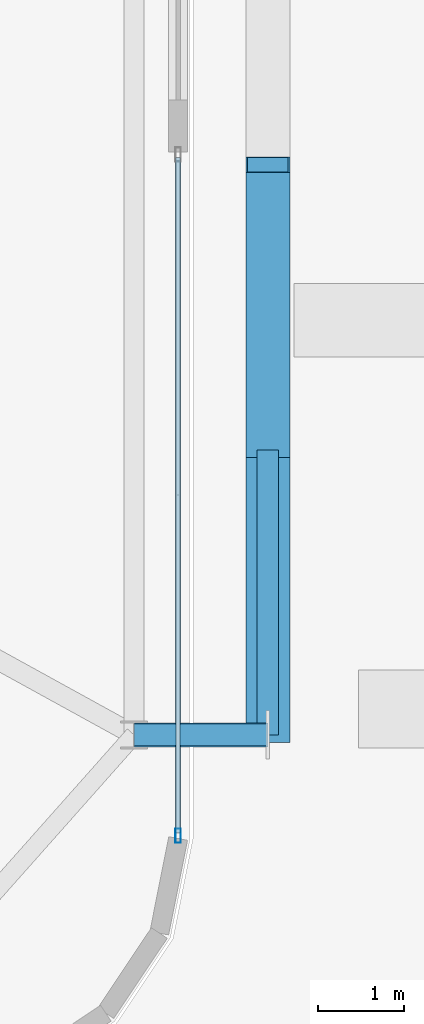
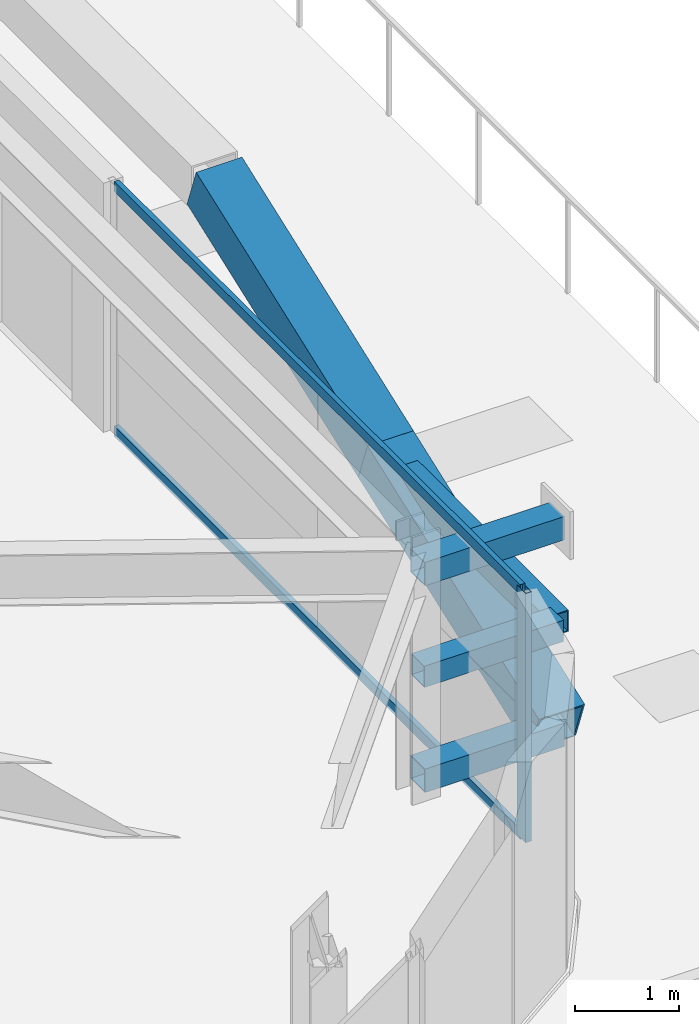
# One storey, part 33 of 56: 9 members, 1 element without a shape of its own.
"""IFC4 building model written with IfcOpenShell, lengths in metres."""

from ifc_helpers import new_model, si_unit, direction, frame, origin, origin_2d, place, context, subcontext, project, spatial, hollow_rectangle, extrude, source, transform, mapped, material, layer, layer_set, material_profile, profile_set, type_object, element, aggregate, save


model = new_model("IFC4")

# Units and contexts
model_context = context("Model", 3, precision=1e-05, world=origin(), true_north=direction((0.0, 1.0)))
body_context = subcontext(model_context, "Body", "Model", "MODEL_VIEW")
ifc_project = project(units=[si_unit("LENGTHUNIT", "METRE"), si_unit("AREAUNIT", "SQUARE_METRE"), si_unit("VOLUMEUNIT", "CUBIC_METRE"), si_unit("PLANEANGLEUNIT", "RADIAN"), si_unit("MASSUNIT", "GRAM", prefix="KILO")], contexts=[model_context])

# Site, building, storey
site_placement = place(None, origin())
site = spatial("IfcSite", under=ifc_project, at=site_placement, CompositionType="ELEMENT")
building_placement = place(site_placement, origin())
building = spatial("IfcBuilding", under=site, at=building_placement, Name="Taldren Reach Tower", CompositionType="ELEMENT")
storey_placement = place(building_placement, frame((0.0, 0.0, 16.800048828125)))
storey = spatial("IfcBuildingStorey", under=building, at=storey_placement, Name="L04", CompositionType="ELEMENT", Elevation=16.800048828125)

# Members
ifc_material_1 = material(Name="Steel Gr 450 (C450L0)", Category="steel")
ifc_material_profile_1 = material_profile(ifc_material_1, hollow_rectangle(XDim=0.27490234375, YDim=0.27490234375, WallThickness=0.00927734375, at=origin_2d()), Name="275x275x9.3SHS")
ifc_profile_set_1 = profile_set([ifc_material_profile_1], Name="Steel Gr 450 (C450L0)")
member_type_1 = type_object("IfcMemberType", Name="MB-TIE273", PredefinedType="STRUT", material=ifc_profile_set_1)
shared_shape_1 = source(origin(), body_context, "Body", "SweptSolid", [
    extrude(hollow_rectangle(XDim=0.27490234375, YDim=0.27490234375, WallThickness=0.00927734375, at=origin_2d()), origin(), (0.0, 0.0, 1.0), 1.5498046875),
])
for number, where, z_axis, x_axis, name in (
    (1, (64.35009765625, 5.699951171875, 2.64990234375), (1.0, 0.0, 0.0), (0.0, 1.0, 0.0), "Exoskeleton diaphragm tie strut B1-E1 L04"),
    (2, (64.35009765625, 5.699951171875, 0.219970703125), (1.0, 0.0, 0.0), (0.0, 1.0, 0.0), "Exoskeleton base diaphragm tie strut B1-E1 L04"),
):
    element("IfcMember", number, at=place(storey_placement, frame(where, z_axis=z_axis, x_axis=x_axis)), inside=storey, type_object=member_type_1, Name=name, PredefinedType="STRUT", context=body_context, shape_type="MappedRepresentation", body=[
        mapped(shared_shape_1, transform((0.0, 0.0, 0.0), scale=1.0)),
    ])
ifc_material_2 = material(Name="Steel Gr 350 (C350L0)", Category="steel")
ifc_material_profile_2 = material_profile(ifc_material_2, hollow_rectangle(XDim=0.25, YDim=0.25, WallThickness=0.010009765625, at=origin_2d()), Name="250x250x10.0SHS")
ifc_profile_set_2 = profile_set([ifc_material_profile_2], Name="Steel Gr 350 (C350L0)")
member_type_2 = type_object("IfcMemberType", Name="MB-POST250", PredefinedType="POST", material=ifc_profile_set_2)
shared_shape_2 = source(origin(), body_context, "Body", "SweptSolid", [
    extrude(hollow_rectangle(XDim=0.25, YDim=0.25, WallThickness=0.010009765625, at=origin_2d()), origin(), (0.0, 0.0, 1.0), 1.5498046875),
])
member_1_placement = place(storey_placement, frame((64.35009765625, 5.699951171875, 1.43505859375), z_axis=(1.0, 0.0, 0.0), x_axis=(0.0, 1.0, 0.0)))
element("IfcMember", 3, at=member_1_placement, inside=storey, type_object=member_type_2, Name="Exoskeleton mid-tier diaphragm tie B1-E1 L04", PredefinedType="POST", context=body_context, shape_type="MappedRepresentation", body=[
    mapped(shared_shape_2, transform((0.0, 0.0, 0.0), scale=1.0)),
])
ifc_material_profile_3 = material_profile(ifc_material_1, hollow_rectangle(XDim=0.510009765625, YDim=0.510009765625, WallThickness=0.02001953125, at=origin_2d()), Name="510x510x20.0SHS")
ifc_profile_set_3 = profile_set([ifc_material_profile_3], Name="Steel Gr 450 (C450L0)")
member_type_3 = type_object("IfcMemberType", Name="MB-EXO508", PredefinedType="BRACE", material=ifc_profile_set_3)
shared_shape_3 = source(origin(), body_context, "Body", "SweptSolid", [
    extrude(hollow_rectangle(XDim=0.510009765625, YDim=0.510009765625, WallThickness=0.02001953125, at=origin_2d()), origin(), (0.0, 0.0, 1.0), 3.5166015625),
])
for number, where, z_axis, x_axis, name in (
    (4, (65.89990234375, 5.699951171875, 0.219970703125), (0.0, 0.938409476011, 0.345525187697), (-1.0, 0.0, 0.0), "Exoskeleton Diagrid Brace B1-E1 L04"),
    (5, (65.89990234375, 9.0, 1.43505859375), (0.0, 0.938431985009, 0.345464049523), (-1.0, 0.0, 0.0), "Exoskeleton Diagrid Brace B1-E1 L04"),
):
    element("IfcMember", number, at=place(storey_placement, frame(where, z_axis=z_axis, x_axis=x_axis)), inside=storey, type_object=member_type_3, Name=name, PredefinedType="BRACE", context=body_context, shape_type="MappedRepresentation", body=[
        mapped(shared_shape_3, transform((0.0, 0.0, 0.0), scale=1.0)),
    ])
shared_shape_4 = source(origin(), body_context, "Body", "SweptSolid", [
    extrude(hollow_rectangle(XDim=0.25, YDim=0.25, WallThickness=0.010009765625, at=origin_2d()), origin(), (0.0, 0.0, 1.0), 3.300048828125),
])
member_2_placement = place(storey_placement, frame((65.89990234375, 5.699951171875, 1.43505859375), z_axis=(0.0, 1.0, 0.0), x_axis=(-1.0, 0.0, 0.0)))
element("IfcMember", 6, at=member_2_placement, inside=storey, type_object=member_type_2, Name="Exoskeleton mid-height ring chord B1-E1 L04", PredefinedType="POST", context=body_context, shape_type="MappedRepresentation", body=[
    mapped(shared_shape_4, transform((0.0, 0.0, 0.0), scale=1.0)),
])

# Curtain wall, members
ifc_material_3 = material(Name="Aluminium and Low-E Glass Unitised System", Category="aluminium")
ifc_layer = layer(ifc_material_3, 0.159912109375)
ifc_layer_set = layer_set([ifc_layer], Name="Aluminium and Low-E Glass Unitised System")
curtain_wall_type = type_object("IfcCurtainWallType", Name="CW-SYS-2", PredefinedType="NOTDEFINED", material=ifc_layer_set)
curtain_wall_placement = place(storey_placement, origin())
curtain_wall = element("IfcCurtainWall", 7, at=curtain_wall_placement, inside=storey, type_object=curtain_wall_type, Name="Unitised curtain wall CW-L04-E1", PredefinedType="NOTDEFINED")
ifc_material_4 = material(Name="Anodised Aluminium 6063-T6", Category="aluminium")
ifc_material_profile_4 = material_profile(ifc_material_4, hollow_rectangle(XDim=0.06494140625, YDim=0.1650390625, WallThickness=0.00390625, at=origin_2d()), Name="ALU-165x65x4RHS")
ifc_profile_set_4 = profile_set([ifc_material_profile_4], Name="Anodised Aluminium 6063-T6")
member_type_4 = type_object("IfcMemberType", Name="CW-MUL-165", PredefinedType="MULLION", material=ifc_profile_set_4)
shared_shape_5 = source(origin(), body_context, "Body", "SweptSolid", [
    extrude(hollow_rectangle(XDim=0.06494140625, YDim=0.1650390625, WallThickness=0.00390625, at=origin_2d()), origin(), (0.0, 0.0, 1.0), 2.929931640625),
])
member_3_placement = place(storey_placement, frame((64.860107421875, 4.532470703125, 0.0), z_axis=(0.0, 0.0, 1.0), x_axis=(-1.0, 0.0, 0.0)))
member_3 = element("IfcMember", 8, at=member_3_placement, type_object=member_type_4, Name="CW-2 mullion 1", PredefinedType="MULLION", context=body_context, shape_type="MappedRepresentation", body=[
    mapped(shared_shape_5, transform((0.0, 0.0, 0.0), scale=1.0)),
])
ifc_material_profile_5 = material_profile(ifc_material_4, hollow_rectangle(XDim=0.054931640625, YDim=0.1201171875, WallThickness=0.0029296875, at=origin_2d()), Name="ALU-120x55x3RHS")
ifc_profile_set_5 = profile_set([ifc_material_profile_5], Name="Anodised Aluminium 6063-T6")
member_type_5 = type_object("IfcMemberType", Name="CW-TRN-135", PredefinedType="USERDEFINED", material=ifc_profile_set_5)
shared_shape_6 = source(origin(), body_context, "Body", "SweptSolid", [
    extrude(hollow_rectangle(XDim=0.054931640625, YDim=0.1201171875, WallThickness=0.0029296875, at=origin_2d()), origin(), (0.0, 0.0, 1.0), 7.820068359375),
])
member_4_placement = place(storey_placement, frame((64.860107421875, 4.56494140625, 0.02734375), z_axis=(0.0, 1.0, 0.0), x_axis=(-1.0, 0.0, 0.0)))
member_4 = element("IfcMember", 9, at=member_4_placement, type_object=member_type_5, Name="CW-2 transom 1.1", ObjectType="TRANSOM", PredefinedType="USERDEFINED", context=body_context, shape_type="MappedRepresentation", body=[
    mapped(shared_shape_6, transform((0.0, 0.0, 0.0), scale=1.0)),
])
member_5_placement = place(storey_placement, frame((64.860107421875, 4.56494140625, 2.90234375), z_axis=(0.0, 1.0, 0.0), x_axis=(-1.0, 0.0, 0.0)))
member_5 = element("IfcMember", 10, at=member_5_placement, type_object=member_type_5, Name="CW-2 transom 1.2", ObjectType="TRANSOM", PredefinedType="USERDEFINED", context=body_context, shape_type="MappedRepresentation", body=[
    mapped(shared_shape_6, transform((0.0, 0.0, 0.0), scale=1.0)),
])
aggregate(curtain_wall, [member_3, member_4, member_5])

save(model, "model.ifc")
